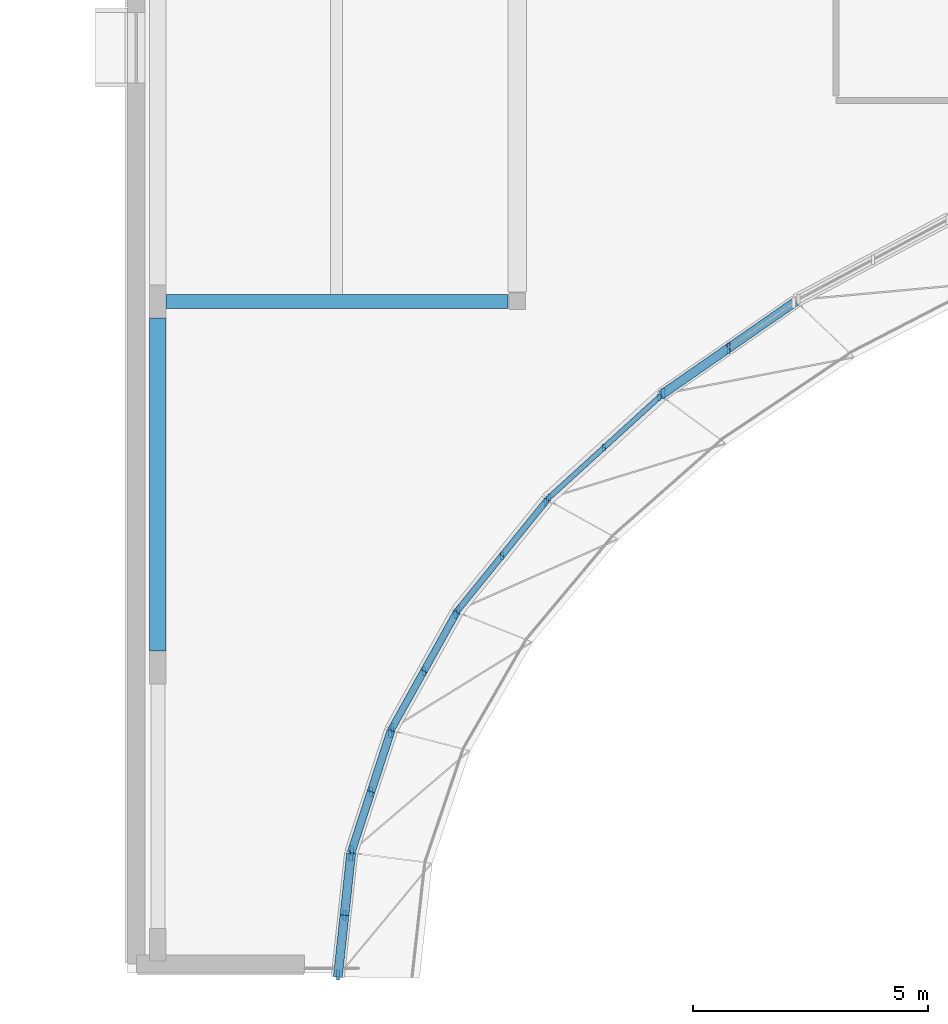
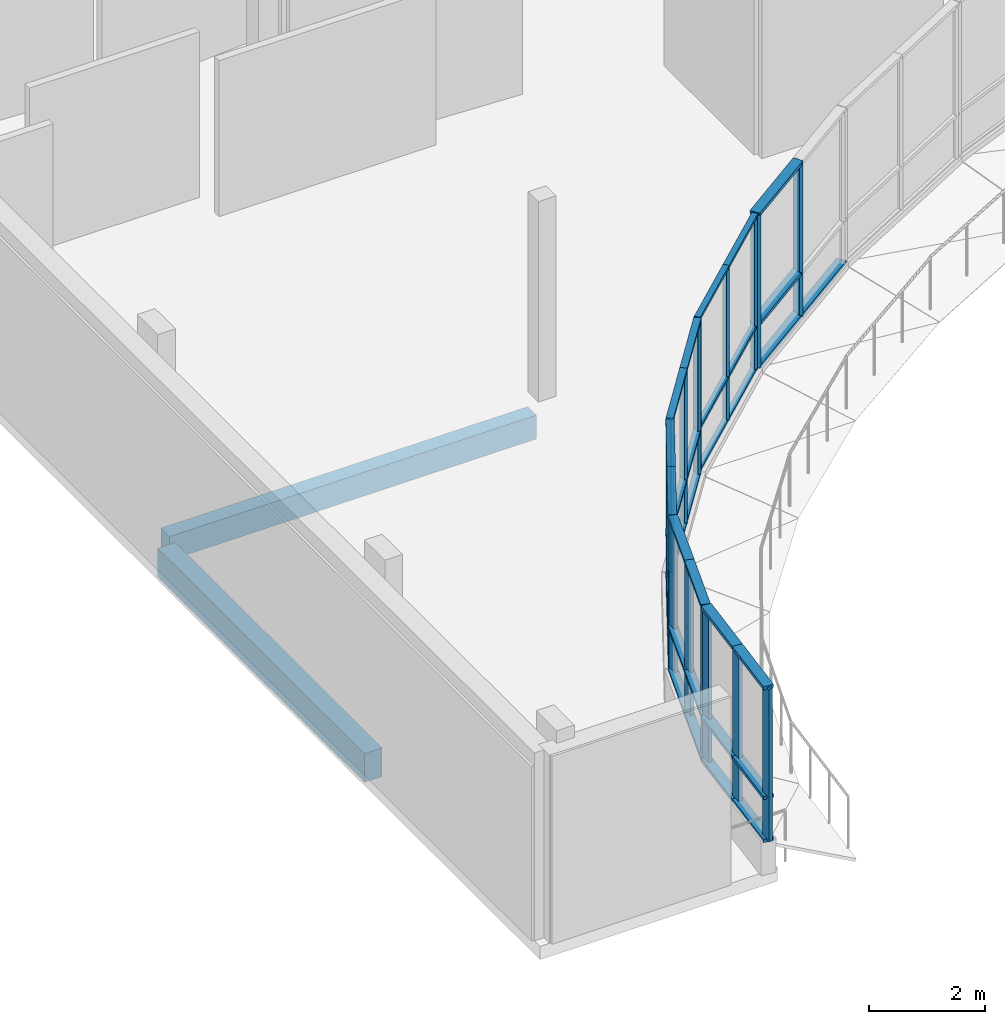
# One storey, part 2 of 18: 51 members, 2 beams, 6 elements without a shape of their own.
"""IFC4 building model written with IfcOpenShell, lengths in metres."""

from ifc_helpers import new_model, si_unit, direction, frame, origin, origin_2d, place, context, subcontext, project, spatial, rectangle, extrude, material, material_profile, profile_set, type_object, element, aggregate, save


model = new_model("IFC4")

# Units and contexts
model_context = context("Model", 3, precision=1e-05, world=origin(), true_north=direction((0.0, 1.0)))
body_context = subcontext(model_context, "Body", "Model", "MODEL_VIEW")
ifc_project = project(units=[si_unit("LENGTHUNIT", "METRE"), si_unit("AREAUNIT", "SQUARE_METRE"), si_unit("VOLUMEUNIT", "CUBIC_METRE"), si_unit("PLANEANGLEUNIT", "RADIAN"), si_unit("MASSUNIT", "GRAM", prefix="KILO")], contexts=[model_context])

# Site, building, storey
site_placement = place(None, origin())
site = spatial("IfcSite", under=ifc_project, at=site_placement, CompositionType="ELEMENT")
building_placement = place(site_placement, origin())
building = spatial("IfcBuilding", under=site, at=building_placement, Name="Mzevani Central Library", CompositionType="ELEMENT")
storey_placement = place(building_placement, frame((0.0, 0.0, 18.300048828125)))
storey = spatial("IfcBuildingStorey", under=building, at=storey_placement, Name="L04", CompositionType="ELEMENT", Elevation=18.300048828125)

# Beams
ifc_material_1 = material(Name="Concrete C35/45", Category="concrete")
ifc_material_profile_1 = material_profile(ifc_material_1, rectangle(XDim=0.300048828125, YDim=0.5, at=origin_2d()), Name="RC B300x500")
ifc_profile_set_1 = profile_set([ifc_material_profile_1], Name="Concrete C35/45")
beam_type_1 = type_object("IfcBeamType", Name="Beam RC 300x500", PredefinedType="BEAM", material=ifc_profile_set_1)
beam_1_placement = place(storey_placement, frame((46.925048828125, 90.39990234375, -0.530029296875), z_axis=(1.0, 0.0, 0.0), x_axis=(0.0, 1.0, 0.0)))
element("IfcBeam", 1, at=beam_1_placement, inside=storey, type_object=beam_type_1, Name="L04 V3 Girder B-01 (704)", PredefinedType="BEAM", context=body_context, shape_type="SweptSolid", body=[
    extrude(rectangle(XDim=0.300048828125, YDim=0.5, at=origin_2d()), origin(), (0.0, 0.0, 1.0), 7.27490234375),
])
ifc_material_profile_2 = material_profile(ifc_material_1, rectangle(XDim=0.35009765625, YDim=0.60009765625, at=origin_2d()), Name="RC B350x600")
ifc_profile_set_2 = profile_set([ifc_material_profile_2], Name="Concrete C35/45")
beam_type_2 = type_object("IfcBeamType", Name="Beam RC 350x600", PredefinedType="BEAM", material=ifc_profile_set_2)
beam_2_placement = place(storey_placement, frame((46.75, 82.949951171875, -0.580078125), z_axis=(0.0, 1.0, 0.0), x_axis=(-1.0, 0.0, 0.0)))
element("IfcBeam", 2, at=beam_2_placement, inside=storey, type_object=beam_type_2, Name="L04 V3 Frame Beam B-04 (731)", PredefinedType="BEAM", context=body_context, shape_type="SweptSolid", body=[
    extrude(rectangle(XDim=0.35009765625, YDim=0.60009765625, at=origin_2d()), origin(), (0.0, 0.0, 1.0), 7.10009765625),
])

# Curtain wall, members
ifc_material_2 = material(Name="Thermally broken aluminium and Low-E triple glazing", Category="aluminium")
curtain_wall_type_1 = type_object("IfcCurtainWallType", Name="Elliptical Court Unitised Curtain Wall", PredefinedType="NOTDEFINED", material=ifc_material_2)
curtain_wall_1_placement = place(storey_placement, origin())
curtain_wall_1 = element("IfcCurtainWall", 3, at=curtain_wall_1_placement, inside=storey, type_object=curtain_wall_type_1, Name="L04 Elliptical Court Curtain Wall 20", PredefinedType="NOTDEFINED")
ifc_material_3 = material(Name="Thermally broken aluminium AW-6060", Category="aluminium")
ifc_material_profile_3 = material_profile(ifc_material_3, rectangle(XDim=0.06005859375, YDim=0.139892578125, at=origin_2d()), Name="ALU M60x140")
ifc_profile_set_3 = profile_set([ifc_material_profile_3], Name="Thermally broken aluminium AW-6060")
member_type_1 = type_object("IfcMemberType", Name="CW Mullion 60x140", PredefinedType="MULLION", material=ifc_profile_set_3)
member_1_placement = place(storey_placement, frame((57.419921875, 88.353759765625, 0.719970703125), z_axis=(0.0, 0.0, 1.0), x_axis=(1.0, 0.0, 0.0)))
member_1 = element("IfcMember", 4, at=member_1_placement, type_object=member_type_1, Name="L04 Elliptical Court Curtain Wall 20 Mullion 1", PredefinedType="MULLION", context=body_context, shape_type="SweptSolid", body=[
    extrude(rectangle(XDim=0.06005859375, YDim=0.139892578125, at=origin_2d()), origin(), (0.0, 0.0, 1.0), 3.199951171875),
])
member_2_placement = place(storey_placement, frame((56.25048828125, 87.288330078125, 0.719970703125), z_axis=(0.0, 0.0, 1.0), x_axis=(1.0, 0.0, 0.0)))
member_2 = element("IfcMember", 5, at=member_2_placement, type_object=member_type_1, Name="L04 Elliptical Court Curtain Wall 20 Mullion 2", PredefinedType="MULLION", context=body_context, shape_type="SweptSolid", body=[
    extrude(rectangle(XDim=0.06005859375, YDim=0.139892578125, at=origin_2d()), origin(), (0.0, 0.0, 1.0), 3.199951171875),
])
member_3_placement = place(storey_placement, frame((55.0810546875, 86.222900390625, 0.719970703125), z_axis=(0.0, 0.0, 1.0), x_axis=(1.0, 0.0, 0.0)))
member_3 = element("IfcMember", 6, at=member_3_placement, type_object=member_type_1, Name="L04 Elliptical Court Curtain Wall 20 Mullion 3", PredefinedType="MULLION", context=body_context, shape_type="SweptSolid", body=[
    extrude(rectangle(XDim=0.06005859375, YDim=0.139892578125, at=origin_2d()), origin(), (0.0, 0.0, 1.0), 3.199951171875),
])

curtain_wall_2_placement = place(storey_placement, origin())
curtain_wall_2 = element("IfcCurtainWall", 7, at=curtain_wall_2_placement, inside=storey, type_object=curtain_wall_type_1, Name="L04 Elliptical Court Curtain Wall 21", PredefinedType="NOTDEFINED")
ifc_material_profile_4 = material_profile(ifc_material_3, rectangle(XDim=0.06005859375, YDim=0.159912109375, at=origin_2d()), Name="ALU M60x160")
ifc_profile_set_4 = profile_set([ifc_material_profile_4], Name="Thermally broken aluminium AW-6060")
member_type_2 = type_object("IfcMemberType", Name="CW Mullion 60x160", PredefinedType="MULLION", material=ifc_profile_set_4)
member_4_placement = place(storey_placement, frame((55.005615234375, 86.130615234375, 0.719970703125), z_axis=(0.0, 0.0, 1.0), x_axis=(1.0, 0.0, 0.0)))
member_4 = element("IfcMember", 8, at=member_4_placement, type_object=member_type_2, Name="L04 Elliptical Court Curtain Wall 21 Mullion 1", PredefinedType="MULLION", context=body_context, shape_type="SweptSolid", body=[
    extrude(rectangle(XDim=0.06005859375, YDim=0.159912109375, at=origin_2d()), origin(), (0.0, 0.0, 1.0), 3.199951171875),
])
member_5_placement = place(storey_placement, frame((54.076904296875, 84.98388671875, 0.719970703125), z_axis=(0.0, 0.0, 1.0), x_axis=(1.0, 0.0, 0.0)))
member_5 = element("IfcMember", 9, at=member_5_placement, type_object=member_type_2, Name="L04 Elliptical Court Curtain Wall 21 Mullion 2", PredefinedType="MULLION", context=body_context, shape_type="SweptSolid", body=[
    extrude(rectangle(XDim=0.06005859375, YDim=0.159912109375, at=origin_2d()), origin(), (0.0, 0.0, 1.0), 3.199951171875),
])
member_6_placement = place(storey_placement, frame((53.14794921875, 83.837158203125, 0.719970703125), z_axis=(0.0, 0.0, 1.0), x_axis=(1.0, 0.0, 0.0)))
member_6 = element("IfcMember", 10, at=member_6_placement, type_object=member_type_2, Name="L04 Elliptical Court Curtain Wall 21 Mullion 3", PredefinedType="MULLION", context=body_context, shape_type="SweptSolid", body=[
    extrude(rectangle(XDim=0.06005859375, YDim=0.159912109375, at=origin_2d()), origin(), (0.0, 0.0, 1.0), 3.199951171875),
])

curtain_wall_type_2 = type_object("IfcCurtainWallType", Name="Reading Hall Northlight Curtain Wall", PredefinedType="NOTDEFINED", material=ifc_material_2)
curtain_wall_3_placement = place(storey_placement, origin())
curtain_wall_3 = element("IfcCurtainWall", 11, at=curtain_wall_3_placement, inside=storey, type_object=curtain_wall_type_2, Name="L04 Elliptical Court Curtain Wall 22", PredefinedType="NOTDEFINED")
ifc_material_profile_5 = material_profile(ifc_material_3, rectangle(XDim=0.06005859375, YDim=0.179931640625, at=origin_2d()), Name="ALU M60x180")
ifc_profile_set_5 = profile_set([ifc_material_profile_5], Name="Thermally broken aluminium AW-6060")
member_type_3 = type_object("IfcMemberType", Name="CW Mullion 60x180", PredefinedType="MULLION", material=ifc_profile_set_5)
member_7_placement = place(storey_placement, frame((53.08740234375, 83.73583984375, 0.719970703125), z_axis=(0.0, 0.0, 1.0), x_axis=(1.0, 0.0, 0.0)))
member_7 = element("IfcMember", 12, at=member_7_placement, type_object=member_type_3, Name="L04 Elliptical Court Curtain Wall 22 Mullion 1", PredefinedType="MULLION", context=body_context, shape_type="SweptSolid", body=[
    extrude(rectangle(XDim=0.06005859375, YDim=0.179931640625, at=origin_2d()), origin(), (0.0, 0.0, 1.0), 3.199951171875),
])
member_8_placement = place(storey_placement, frame((52.413818359375, 82.527587890625, 0.719970703125), z_axis=(0.0, 0.0, 1.0), x_axis=(1.0, 0.0, 0.0)))
member_8 = element("IfcMember", 13, at=member_8_placement, type_object=member_type_3, Name="L04 Elliptical Court Curtain Wall 22 Mullion 2", PredefinedType="MULLION", context=body_context, shape_type="SweptSolid", body=[
    extrude(rectangle(XDim=0.06005859375, YDim=0.179931640625, at=origin_2d()), origin(), (0.0, 0.0, 1.0), 3.199951171875),
])
member_9_placement = place(storey_placement, frame((51.740234375, 81.319580078125, 0.719970703125), z_axis=(0.0, 0.0, 1.0), x_axis=(1.0, 0.0, 0.0)))
member_9 = element("IfcMember", 14, at=member_9_placement, type_object=member_type_3, Name="L04 Elliptical Court Curtain Wall 22 Mullion 3", PredefinedType="MULLION", context=body_context, shape_type="SweptSolid", body=[
    extrude(rectangle(XDim=0.06005859375, YDim=0.179931640625, at=origin_2d()), origin(), (0.0, 0.0, 1.0), 3.199951171875),
])

curtain_wall_4_placement = place(storey_placement, origin())
curtain_wall_4 = element("IfcCurtainWall", 15, at=curtain_wall_4_placement, inside=storey, type_object=curtain_wall_type_1, Name="L04 Elliptical Court Curtain Wall 23", PredefinedType="NOTDEFINED")
ifc_material_profile_6 = material_profile(ifc_material_3, rectangle(XDim=0.06494140625, YDim=0.199951171875, at=origin_2d()), Name="ALU M65x200")
ifc_profile_set_6 = profile_set([ifc_material_profile_6], Name="Thermally broken aluminium AW-6060")
member_type_4 = type_object("IfcMemberType", Name="CW Mullion 65x200", PredefinedType="MULLION", material=ifc_profile_set_6)
member_10_placement = place(storey_placement, frame((51.697265625, 81.210205078125, 0.719970703125), z_axis=(0.0, 0.0, 1.0), x_axis=(1.0, 0.0, 0.0)))
member_10 = element("IfcMember", 16, at=member_10_placement, type_object=member_type_4, Name="L04 Elliptical Court Curtain Wall 23 Mullion 1", PredefinedType="MULLION", context=body_context, shape_type="SweptSolid", body=[
    extrude(rectangle(XDim=0.06494140625, YDim=0.199951171875, at=origin_2d()), origin(), (0.0, 0.0, 1.0), 3.199951171875),
])
member_11_placement = place(storey_placement, frame((51.289306640625, 79.961181640625, 0.719970703125), z_axis=(0.0, 0.0, 1.0), x_axis=(1.0, 0.0, 0.0)))
member_11 = element("IfcMember", 17, at=member_11_placement, type_object=member_type_4, Name="L04 Elliptical Court Curtain Wall 23 Mullion 2", PredefinedType="MULLION", context=body_context, shape_type="SweptSolid", body=[
    extrude(rectangle(XDim=0.06494140625, YDim=0.199951171875, at=origin_2d()), origin(), (0.0, 0.0, 1.0), 3.199951171875),
])
member_12_placement = place(storey_placement, frame((50.881103515625, 78.712158203125, 0.719970703125), z_axis=(0.0, 0.0, 1.0), x_axis=(1.0, 0.0, 0.0)))
member_12 = element("IfcMember", 18, at=member_12_placement, type_object=member_type_4, Name="L04 Elliptical Court Curtain Wall 23 Mullion 3", PredefinedType="MULLION", context=body_context, shape_type="SweptSolid", body=[
    extrude(rectangle(XDim=0.06494140625, YDim=0.199951171875, at=origin_2d()), origin(), (0.0, 0.0, 1.0), 3.199951171875),
])

curtain_wall_5_placement = place(storey_placement, origin())
curtain_wall_5 = element("IfcCurtainWall", 19, at=curtain_wall_5_placement, inside=storey, type_object=curtain_wall_type_2, Name="L04 Elliptical Court Curtain Wall 19", PredefinedType="NOTDEFINED")
ifc_material_profile_7 = material_profile(ifc_material_3, rectangle(XDim=0.070068359375, YDim=0.219970703125, at=origin_2d()), Name="ALU M70x220")
ifc_profile_set_7 = profile_set([ifc_material_profile_7], Name="Thermally broken aluminium AW-6060")
member_type_5 = type_object("IfcMemberType", Name="CW Mullion 70x220", PredefinedType="MULLION", material=ifc_profile_set_7)
member_13_placement = place(storey_placement, frame((58.898193359375, 89.402099609375, 0.719970703125), z_axis=(0.0, 0.0, 1.0), x_axis=(1.0, 0.0, 0.0)))
member_13 = element("IfcMember", 20, at=member_13_placement, type_object=member_type_5, Name="L04 Elliptical Court Curtain Wall 19 Mullion 2", PredefinedType="MULLION", context=body_context, shape_type="SweptSolid", body=[
    extrude(rectangle(XDim=0.070068359375, YDim=0.219970703125, at=origin_2d()), origin(), (0.0, 0.0, 1.0), 3.199951171875),
])
member_14_placement = place(storey_placement, frame((57.507568359375, 88.4365234375, 0.719970703125), z_axis=(0.0, 0.0, 1.0), x_axis=(1.0, 0.0, 0.0)))
member_14 = element("IfcMember", 21, at=member_14_placement, type_object=member_type_5, Name="L04 Elliptical Court Curtain Wall 19 Mullion 3", PredefinedType="MULLION", context=body_context, shape_type="SweptSolid", body=[
    extrude(rectangle(XDim=0.070068359375, YDim=0.219970703125, at=origin_2d()), origin(), (0.0, 0.0, 1.0), 3.199951171875),
])

curtain_wall_6_placement = place(storey_placement, origin())
curtain_wall_6 = element("IfcCurtainWall", 22, at=curtain_wall_6_placement, inside=storey, type_object=curtain_wall_type_1, Name="L04 Elliptical Court Curtain Wall 24", PredefinedType="NOTDEFINED")
member_15_placement = place(storey_placement, frame((50.85888671875, 78.59716796875, 0.719970703125), z_axis=(0.0, 0.0, 1.0), x_axis=(1.0, 0.0, 0.0)))
member_15 = element("IfcMember", 23, at=member_15_placement, type_object=member_type_5, Name="L04 Elliptical Court Curtain Wall 24 Mullion 1", PredefinedType="MULLION", context=body_context, shape_type="SweptSolid", body=[
    extrude(rectangle(XDim=0.070068359375, YDim=0.219970703125, at=origin_2d()), origin(), (0.0, 0.0, 1.0), 3.199951171875),
])
member_16_placement = place(storey_placement, frame((50.72216796875, 77.327880859375, 0.719970703125), z_axis=(0.0, 0.0, 1.0), x_axis=(1.0, 0.0, 0.0)))
member_16 = element("IfcMember", 24, at=member_16_placement, type_object=member_type_5, Name="L04 Elliptical Court Curtain Wall 24 Mullion 2", PredefinedType="MULLION", context=body_context, shape_type="SweptSolid", body=[
    extrude(rectangle(XDim=0.070068359375, YDim=0.219970703125, at=origin_2d()), origin(), (0.0, 0.0, 1.0), 3.199951171875),
])
member_17_placement = place(storey_placement, frame((50.58544921875, 76.05859375, 0.719970703125), z_axis=(0.0, 0.0, 1.0), x_axis=(1.0, 0.0, 0.0)))
member_17 = element("IfcMember", 25, at=member_17_placement, type_object=member_type_5, Name="L04 Elliptical Court Curtain Wall 24 Mullion 3", PredefinedType="MULLION", context=body_context, shape_type="SweptSolid", body=[
    extrude(rectangle(XDim=0.070068359375, YDim=0.219970703125, at=origin_2d()), origin(), (0.0, 0.0, 1.0), 3.199951171875),
])

# Member
ifc_material_profile_8 = material_profile(ifc_material_3, rectangle(XDim=0.110107421875, YDim=0.06005859375, at=origin_2d()), Name="ALU T60x110")
ifc_profile_set_8 = profile_set([ifc_material_profile_8], Name="Thermally broken aluminium AW-6060")
member_type_6 = type_object("IfcMemberType", Name="CW Transom 60x110", PredefinedType="USERDEFINED", material=ifc_profile_set_8)
member_18_placement = place(storey_placement, frame((57.456787109375, 88.387451171875, 0.719970703125), z_axis=(-0.739181441523, -0.673506344816, 0.0), x_axis=(0.673506344816, -0.739181441523, 0.0)))
member_18 = element("IfcMember", 26, at=member_18_placement, type_object=member_type_6, Name="L04 Elliptical Court Curtain Wall 20 Transom 1", ObjectType="TRANSOM", PredefinedType="USERDEFINED", context=body_context, shape_type="SweptSolid", body=[
    extrude(rectangle(XDim=0.110107421875, YDim=0.06005859375, at=origin_2d()), origin(), (0.0, 0.0, 1.0), 1.6318359375),
])

member_19_placement = place(storey_placement, frame((57.456787109375, 88.387451171875, 1.619873046875), z_axis=(-0.739181441523, -0.673506344816, 0.0), x_axis=(0.673506344816, -0.739181441523, 0.0)))
member_19 = element("IfcMember", 27, at=member_19_placement, type_object=member_type_6, Name="L04 Elliptical Court Curtain Wall 20 Transom 2", ObjectType="TRANSOM", PredefinedType="USERDEFINED", context=body_context, shape_type="SweptSolid", body=[
    extrude(rectangle(XDim=0.110107421875, YDim=0.06005859375, at=origin_2d()), origin(), (0.0, 0.0, 1.0), 1.6318359375),
])

member_20_placement = place(storey_placement, frame((57.456787109375, 88.387451171875, 3.919921875), z_axis=(-0.739181441523, -0.673506344816, 0.0), x_axis=(0.673506344816, -0.739181441523, 0.0)))
member_20 = element("IfcMember", 28, at=member_20_placement, type_object=member_type_6, Name="L04 Elliptical Court Curtain Wall 20 Transom 3", ObjectType="TRANSOM", PredefinedType="USERDEFINED", context=body_context, shape_type="SweptSolid", body=[
    extrude(rectangle(XDim=0.110107421875, YDim=0.06005859375, at=origin_2d()), origin(), (0.0, 0.0, 1.0), 1.6318359375),
])

member_21_placement = place(storey_placement, frame((56.25048828125, 87.288330078125, 0.719970703125), z_axis=(-0.739181441523, -0.673506344816, 0.0), x_axis=(0.673506344816, -0.739181441523, 0.0)))
member_21 = element("IfcMember", 29, at=member_21_placement, type_object=member_type_6, Name="L04 Elliptical Court Curtain Wall 20 Transom 4", ObjectType="TRANSOM", PredefinedType="USERDEFINED", context=body_context, shape_type="SweptSolid", body=[
    extrude(rectangle(XDim=0.110107421875, YDim=0.06005859375, at=origin_2d()), origin(), (0.0, 0.0, 1.0), 1.6318359375),
])

member_22_placement = place(storey_placement, frame((56.25048828125, 87.288330078125, 1.619873046875), z_axis=(-0.739181441523, -0.673506344816, 0.0), x_axis=(0.673506344816, -0.739181441523, 0.0)))
member_22 = element("IfcMember", 30, at=member_22_placement, type_object=member_type_6, Name="L04 Elliptical Court Curtain Wall 20 Transom 5", ObjectType="TRANSOM", PredefinedType="USERDEFINED", context=body_context, shape_type="SweptSolid", body=[
    extrude(rectangle(XDim=0.110107421875, YDim=0.06005859375, at=origin_2d()), origin(), (0.0, 0.0, 1.0), 1.6318359375),
])

member_23_placement = place(storey_placement, frame((56.25048828125, 87.288330078125, 3.919921875), z_axis=(-0.739181441523, -0.673506344816, 0.0), x_axis=(0.673506344816, -0.739181441523, 0.0)))
member_23 = element("IfcMember", 31, at=member_23_placement, type_object=member_type_6, Name="L04 Elliptical Court Curtain Wall 20 Transom 6", ObjectType="TRANSOM", PredefinedType="USERDEFINED", context=body_context, shape_type="SweptSolid", body=[
    extrude(rectangle(XDim=0.110107421875, YDim=0.06005859375, at=origin_2d()), origin(), (0.0, 0.0, 1.0), 1.6318359375),
])

aggregate(curtain_wall_1, [member_1, member_2, member_3, member_18, member_19, member_20, member_21, member_22, member_23])

ifc_material_profile_9 = material_profile(ifc_material_3, rectangle(XDim=0.1298828125, YDim=0.06005859375, at=origin_2d()), Name="ALU T60x130")
ifc_profile_set_9 = profile_set([ifc_material_profile_9], Name="Thermally broken aluminium AW-6060")
member_type_7 = type_object("IfcMemberType", Name="CW Transom 60x130", PredefinedType="USERDEFINED", material=ifc_profile_set_9)
member_24_placement = place(storey_placement, frame((55.037109375, 86.16943359375, 0.719970703125), z_axis=(-0.629386954519, -0.777092054702, 0.0), x_axis=(0.777092054702, -0.629386954519, 0.0)))
member_24 = element("IfcMember", 32, at=member_24_placement, type_object=member_type_7, Name="L04 Elliptical Court Curtain Wall 21 Transom 1", ObjectType="TRANSOM", PredefinedType="USERDEFINED", context=body_context, shape_type="SweptSolid", body=[
    extrude(rectangle(XDim=0.1298828125, YDim=0.06005859375, at=origin_2d()), origin(), (0.0, 0.0, 1.0), 1.525634765625),
])

member_25_placement = place(storey_placement, frame((55.037109375, 86.16943359375, 1.619873046875), z_axis=(-0.629386954519, -0.777092054702, 0.0), x_axis=(0.777092054702, -0.629386954519, 0.0)))
member_25 = element("IfcMember", 33, at=member_25_placement, type_object=member_type_7, Name="L04 Elliptical Court Curtain Wall 21 Transom 2", ObjectType="TRANSOM", PredefinedType="USERDEFINED", context=body_context, shape_type="SweptSolid", body=[
    extrude(rectangle(XDim=0.1298828125, YDim=0.06005859375, at=origin_2d()), origin(), (0.0, 0.0, 1.0), 1.525634765625),
])

member_26_placement = place(storey_placement, frame((55.037109375, 86.16943359375, 3.919921875), z_axis=(-0.629386954519, -0.777092054702, 0.0), x_axis=(0.777092054702, -0.629386954519, 0.0)))
member_26 = element("IfcMember", 34, at=member_26_placement, type_object=member_type_7, Name="L04 Elliptical Court Curtain Wall 21 Transom 3", ObjectType="TRANSOM", PredefinedType="USERDEFINED", context=body_context, shape_type="SweptSolid", body=[
    extrude(rectangle(XDim=0.1298828125, YDim=0.06005859375, at=origin_2d()), origin(), (0.0, 0.0, 1.0), 1.525634765625),
])

member_27_placement = place(storey_placement, frame((54.076904296875, 84.98388671875, 0.719970703125), z_axis=(-0.629405318205, -0.777077181119, 0.0), x_axis=(0.777077181119, -0.629405318205, 0.0)))
member_27 = element("IfcMember", 35, at=member_27_placement, type_object=member_type_7, Name="L04 Elliptical Court Curtain Wall 21 Transom 4", ObjectType="TRANSOM", PredefinedType="USERDEFINED", context=body_context, shape_type="SweptSolid", body=[
    extrude(rectangle(XDim=0.1298828125, YDim=0.06005859375, at=origin_2d()), origin(), (0.0, 0.0, 1.0), 1.52587890625),
])

member_28_placement = place(storey_placement, frame((54.076904296875, 84.98388671875, 1.619873046875), z_axis=(-0.629405318205, -0.777077181119, 0.0), x_axis=(0.777077181119, -0.629405318205, 0.0)))
member_28 = element("IfcMember", 36, at=member_28_placement, type_object=member_type_7, Name="L04 Elliptical Court Curtain Wall 21 Transom 5", ObjectType="TRANSOM", PredefinedType="USERDEFINED", context=body_context, shape_type="SweptSolid", body=[
    extrude(rectangle(XDim=0.1298828125, YDim=0.06005859375, at=origin_2d()), origin(), (0.0, 0.0, 1.0), 1.52587890625),
])

member_29_placement = place(storey_placement, frame((54.076904296875, 84.98388671875, 3.919921875), z_axis=(-0.629405318205, -0.777077181119, 0.0), x_axis=(0.777077181119, -0.629405318205, 0.0)))
member_29 = element("IfcMember", 37, at=member_29_placement, type_object=member_type_7, Name="L04 Elliptical Court Curtain Wall 21 Transom 6", ObjectType="TRANSOM", PredefinedType="USERDEFINED", context=body_context, shape_type="SweptSolid", body=[
    extrude(rectangle(XDim=0.1298828125, YDim=0.06005859375, at=origin_2d()), origin(), (0.0, 0.0, 1.0), 1.52587890625),
])

aggregate(curtain_wall_2, [member_4, member_5, member_6, member_24, member_25, member_26, member_27, member_28, member_29])

ifc_material_profile_10 = material_profile(ifc_material_3, rectangle(XDim=0.14990234375, YDim=0.06005859375, at=origin_2d()), Name="ALU T60x150")
ifc_profile_set_10 = profile_set([ifc_material_profile_10], Name="Thermally broken aluminium AW-6060")
member_type_8 = type_object("IfcMemberType", Name="CW Transom 60x150", PredefinedType="USERDEFINED", material=ifc_profile_set_10)
member_30_placement = place(storey_placement, frame((53.11181640625, 83.779296875, 0.719970703125), z_axis=(-0.487030832261, -0.873384776846, 0.0), x_axis=(0.873384776846, -0.487030832261, 0.0)))
member_30 = element("IfcMember", 38, at=member_30_placement, type_object=member_type_8, Name="L04 Elliptical Court Curtain Wall 22 Transom 1", ObjectType="TRANSOM", PredefinedType="USERDEFINED", context=body_context, shape_type="SweptSolid", body=[
    extrude(rectangle(XDim=0.14990234375, YDim=0.06005859375, at=origin_2d()), origin(), (0.0, 0.0, 1.0), 1.43310546875),
])

member_31_placement = place(storey_placement, frame((53.11181640625, 83.779296875, 1.619873046875), z_axis=(-0.487030832261, -0.873384776846, 0.0), x_axis=(0.873384776846, -0.487030832261, 0.0)))
member_31 = element("IfcMember", 39, at=member_31_placement, type_object=member_type_8, Name="L04 Elliptical Court Curtain Wall 22 Transom 2", ObjectType="TRANSOM", PredefinedType="USERDEFINED", context=body_context, shape_type="SweptSolid", body=[
    extrude(rectangle(XDim=0.14990234375, YDim=0.06005859375, at=origin_2d()), origin(), (0.0, 0.0, 1.0), 1.43310546875),
])

member_32_placement = place(storey_placement, frame((53.11181640625, 83.779296875, 3.919921875), z_axis=(-0.487030832261, -0.873384776846, 0.0), x_axis=(0.873384776846, -0.487030832261, 0.0)))
member_32 = element("IfcMember", 40, at=member_32_placement, type_object=member_type_8, Name="L04 Elliptical Court Curtain Wall 22 Transom 3", ObjectType="TRANSOM", PredefinedType="USERDEFINED", context=body_context, shape_type="SweptSolid", body=[
    extrude(rectangle(XDim=0.14990234375, YDim=0.06005859375, at=origin_2d()), origin(), (0.0, 0.0, 1.0), 1.43310546875),
])

member_33_placement = place(storey_placement, frame((52.413818359375, 82.527587890625, 0.719970703125), z_axis=(-0.487030832261, -0.873384776846, 0.0), x_axis=(0.873384776846, -0.487030832261, 0.0)))
member_33 = element("IfcMember", 41, at=member_33_placement, type_object=member_type_8, Name="L04 Elliptical Court Curtain Wall 22 Transom 4", ObjectType="TRANSOM", PredefinedType="USERDEFINED", context=body_context, shape_type="SweptSolid", body=[
    extrude(rectangle(XDim=0.14990234375, YDim=0.06005859375, at=origin_2d()), origin(), (0.0, 0.0, 1.0), 1.43310546875),
])

member_34_placement = place(storey_placement, frame((52.413818359375, 82.527587890625, 1.619873046875), z_axis=(-0.487030832261, -0.873384776846, 0.0), x_axis=(0.873384776846, -0.487030832261, 0.0)))
member_34 = element("IfcMember", 42, at=member_34_placement, type_object=member_type_8, Name="L04 Elliptical Court Curtain Wall 22 Transom 5", ObjectType="TRANSOM", PredefinedType="USERDEFINED", context=body_context, shape_type="SweptSolid", body=[
    extrude(rectangle(XDim=0.14990234375, YDim=0.06005859375, at=origin_2d()), origin(), (0.0, 0.0, 1.0), 1.43310546875),
])

member_35_placement = place(storey_placement, frame((52.413818359375, 82.527587890625, 3.919921875), z_axis=(-0.487030832261, -0.873384776846, 0.0), x_axis=(0.873384776846, -0.487030832261, 0.0)))
member_35 = element("IfcMember", 43, at=member_35_placement, type_object=member_type_8, Name="L04 Elliptical Court Curtain Wall 22 Transom 6", ObjectType="TRANSOM", PredefinedType="USERDEFINED", context=body_context, shape_type="SweptSolid", body=[
    extrude(rectangle(XDim=0.14990234375, YDim=0.06005859375, at=origin_2d()), origin(), (0.0, 0.0, 1.0), 1.43310546875),
])

aggregate(curtain_wall_3, [member_7, member_8, member_9, member_30, member_31, member_32, member_33, member_34, member_35])

ifc_material_profile_11 = material_profile(ifc_material_3, rectangle(XDim=0.169921875, YDim=0.06494140625, at=origin_2d()), Name="ALU T65x170")
ifc_profile_set_11 = profile_set([ifc_material_profile_11], Name="Thermally broken aluminium AW-6060")
member_type_9 = type_object("IfcMemberType", Name="CW Transom 65x170", PredefinedType="USERDEFINED", material=ifc_profile_set_11)
member_36_placement = place(storey_placement, frame((51.712890625, 81.2578125, 0.719970703125), z_axis=(-0.310530507133, -0.950563414055, 0.0), x_axis=(0.950563414055, -0.310530507133, 0.0)))
member_36 = element("IfcMember", 44, at=member_36_placement, type_object=member_type_9, Name="L04 Elliptical Court Curtain Wall 23 Transom 1", ObjectType="TRANSOM", PredefinedType="USERDEFINED", context=body_context, shape_type="SweptSolid", body=[
    extrude(rectangle(XDim=0.169921875, YDim=0.06494140625, at=origin_2d()), origin(), (0.0, 0.0, 1.0), 1.364013671875),
])

member_37_placement = place(storey_placement, frame((51.712890625, 81.2578125, 1.619873046875), z_axis=(-0.310530507133, -0.950563414055, 0.0), x_axis=(0.950563414055, -0.310530507133, 0.0)))
member_37 = element("IfcMember", 45, at=member_37_placement, type_object=member_type_9, Name="L04 Elliptical Court Curtain Wall 23 Transom 2", ObjectType="TRANSOM", PredefinedType="USERDEFINED", context=body_context, shape_type="SweptSolid", body=[
    extrude(rectangle(XDim=0.169921875, YDim=0.06494140625, at=origin_2d()), origin(), (0.0, 0.0, 1.0), 1.364013671875),
])

member_38_placement = place(storey_placement, frame((51.712890625, 81.2578125, 3.919921875), z_axis=(-0.310530507133, -0.950563414055, 0.0), x_axis=(0.950563414055, -0.310530507133, 0.0)))
member_38 = element("IfcMember", 46, at=member_38_placement, type_object=member_type_9, Name="L04 Elliptical Court Curtain Wall 23 Transom 3", ObjectType="TRANSOM", PredefinedType="USERDEFINED", context=body_context, shape_type="SweptSolid", body=[
    extrude(rectangle(XDim=0.169921875, YDim=0.06494140625, at=origin_2d()), origin(), (0.0, 0.0, 1.0), 1.364013671875),
])

member_39_placement = place(storey_placement, frame((51.289306640625, 79.961181640625, 0.719970703125), z_axis=(-0.310745076169, -0.950493291737, 0.0), x_axis=(0.950493291737, -0.310745076169, 0.0)))
member_39 = element("IfcMember", 47, at=member_39_placement, type_object=member_type_9, Name="L04 Elliptical Court Curtain Wall 23 Transom 4", ObjectType="TRANSOM", PredefinedType="USERDEFINED", context=body_context, shape_type="SweptSolid", body=[
    extrude(rectangle(XDim=0.169921875, YDim=0.06494140625, at=origin_2d()), origin(), (0.0, 0.0, 1.0), 1.364013671875),
])

member_40_placement = place(storey_placement, frame((51.289306640625, 79.961181640625, 1.619873046875), z_axis=(-0.310745076169, -0.950493291737, 0.0), x_axis=(0.950493291737, -0.310745076169, 0.0)))
member_40 = element("IfcMember", 48, at=member_40_placement, type_object=member_type_9, Name="L04 Elliptical Court Curtain Wall 23 Transom 5", ObjectType="TRANSOM", PredefinedType="USERDEFINED", context=body_context, shape_type="SweptSolid", body=[
    extrude(rectangle(XDim=0.169921875, YDim=0.06494140625, at=origin_2d()), origin(), (0.0, 0.0, 1.0), 1.364013671875),
])

member_41_placement = place(storey_placement, frame((51.289306640625, 79.961181640625, 3.919921875), z_axis=(-0.310745076169, -0.950493291737, 0.0), x_axis=(0.950493291737, -0.310745076169, 0.0)))
member_41 = element("IfcMember", 49, at=member_41_placement, type_object=member_type_9, Name="L04 Elliptical Court Curtain Wall 23 Transom 6", ObjectType="TRANSOM", PredefinedType="USERDEFINED", context=body_context, shape_type="SweptSolid", body=[
    extrude(rectangle(XDim=0.169921875, YDim=0.06494140625, at=origin_2d()), origin(), (0.0, 0.0, 1.0), 1.364013671875),
])

aggregate(curtain_wall_4, [member_10, member_11, member_12, member_36, member_37, member_38, member_39, member_40, member_41])

ifc_material_profile_12 = material_profile(ifc_material_3, rectangle(XDim=0.18994140625, YDim=0.070068359375, at=origin_2d()), Name="ALU T70x190")
ifc_profile_set_12 = profile_set([ifc_material_profile_12], Name="Thermally broken aluminium AW-6060")
member_type_10 = type_object("IfcMemberType", Name="CW Transom 70x190", PredefinedType="USERDEFINED", material=ifc_profile_set_12)
member_42_placement = place(storey_placement, frame((60.330078125, 90.39599609375, 0.719970703125), z_axis=(-0.821495722065, -0.570214677669, 0.0), x_axis=(0.570214677669, -0.821495722065, 0.0)))
member_42 = element("IfcMember", 50, at=member_42_placement, type_object=member_type_10, Name="L04 Elliptical Court Curtain Wall 19 Transom 1", ObjectType="TRANSOM", PredefinedType="USERDEFINED", context=body_context, shape_type="SweptSolid", body=[
    extrude(rectangle(XDim=0.18994140625, YDim=0.070068359375, at=origin_2d()), origin(), (0.0, 0.0, 1.0), 1.742919921875),
])

member_43_placement = place(storey_placement, frame((58.898193359375, 89.402099609375, 0.719970703125), z_axis=(-0.821450171996, -0.570280295054, 0.0), x_axis=(0.570280295054, -0.821450171996, 0.0)))
member_43 = element("IfcMember", 51, at=member_43_placement, type_object=member_type_10, Name="L04 Elliptical Court Curtain Wall 19 Transom 4", ObjectType="TRANSOM", PredefinedType="USERDEFINED", context=body_context, shape_type="SweptSolid", body=[
    extrude(rectangle(XDim=0.18994140625, YDim=0.070068359375, at=origin_2d()), origin(), (0.0, 0.0, 1.0), 1.742919921875),
])

member_44_placement = place(storey_placement, frame((58.898193359375, 89.402099609375, 1.619873046875), z_axis=(-0.821450171996, -0.570280295054, 0.0), x_axis=(0.570280295054, -0.821450171996, 0.0)))
member_44 = element("IfcMember", 52, at=member_44_placement, type_object=member_type_10, Name="L04 Elliptical Court Curtain Wall 19 Transom 5", ObjectType="TRANSOM", PredefinedType="USERDEFINED", context=body_context, shape_type="SweptSolid", body=[
    extrude(rectangle(XDim=0.18994140625, YDim=0.070068359375, at=origin_2d()), origin(), (0.0, 0.0, 1.0), 1.742919921875),
])

member_45_placement = place(storey_placement, frame((58.898193359375, 89.402099609375, 3.919921875), z_axis=(-0.821450171996, -0.570280295054, 0.0), x_axis=(0.570280295054, -0.821450171996, 0.0)))
member_45 = element("IfcMember", 53, at=member_45_placement, type_object=member_type_10, Name="L04 Elliptical Court Curtain Wall 19 Transom 6", ObjectType="TRANSOM", PredefinedType="USERDEFINED", context=body_context, shape_type="SweptSolid", body=[
    extrude(rectangle(XDim=0.18994140625, YDim=0.070068359375, at=origin_2d()), origin(), (0.0, 0.0, 1.0), 1.742919921875),
])

aggregate(curtain_wall_5, [member_13, member_14, member_42, member_43, member_44, member_45])

member_46_placement = place(storey_placement, frame((50.8642578125, 78.64697265625, 0.719970703125), z_axis=(-0.107098386967, -0.994248427461, 0.0), x_axis=(0.994248427461, -0.107098386967, 0.0)))
member_46 = element("IfcMember", 54, at=member_46_placement, type_object=member_type_10, Name="L04 Elliptical Court Curtain Wall 24 Transom 1", ObjectType="TRANSOM", PredefinedType="USERDEFINED", context=body_context, shape_type="SweptSolid", body=[
    extrude(rectangle(XDim=0.18994140625, YDim=0.070068359375, at=origin_2d()), origin(), (0.0, 0.0, 1.0), 1.32666015625),
])

member_47_placement = place(storey_placement, frame((50.8642578125, 78.64697265625, 1.619873046875), z_axis=(-0.107098386967, -0.994248427461, 0.0), x_axis=(0.994248427461, -0.107098386967, 0.0)))
member_47 = element("IfcMember", 55, at=member_47_placement, type_object=member_type_10, Name="L04 Elliptical Court Curtain Wall 24 Transom 2", ObjectType="TRANSOM", PredefinedType="USERDEFINED", context=body_context, shape_type="SweptSolid", body=[
    extrude(rectangle(XDim=0.18994140625, YDim=0.070068359375, at=origin_2d()), origin(), (0.0, 0.0, 1.0), 1.32666015625),
])

member_48_placement = place(storey_placement, frame((50.8642578125, 78.64697265625, 3.919921875), z_axis=(-0.107098386967, -0.994248427461, 0.0), x_axis=(0.994248427461, -0.107098386967, 0.0)))
member_48 = element("IfcMember", 56, at=member_48_placement, type_object=member_type_10, Name="L04 Elliptical Court Curtain Wall 24 Transom 3", ObjectType="TRANSOM", PredefinedType="USERDEFINED", context=body_context, shape_type="SweptSolid", body=[
    extrude(rectangle(XDim=0.18994140625, YDim=0.070068359375, at=origin_2d()), origin(), (0.0, 0.0, 1.0), 1.32666015625),
])

member_49_placement = place(storey_placement, frame((50.72216796875, 77.327880859375, 0.719970703125), z_axis=(-0.107098386967, -0.994248427461, 0.0), x_axis=(0.994248427461, -0.107098386967, 0.0)))
member_49 = element("IfcMember", 57, at=member_49_placement, type_object=member_type_10, Name="L04 Elliptical Court Curtain Wall 24 Transom 4", ObjectType="TRANSOM", PredefinedType="USERDEFINED", context=body_context, shape_type="SweptSolid", body=[
    extrude(rectangle(XDim=0.18994140625, YDim=0.070068359375, at=origin_2d()), origin(), (0.0, 0.0, 1.0), 1.32666015625),
])

member_50_placement = place(storey_placement, frame((50.72216796875, 77.327880859375, 1.619873046875), z_axis=(-0.107098386967, -0.994248427461, 0.0), x_axis=(0.994248427461, -0.107098386967, 0.0)))
member_50 = element("IfcMember", 58, at=member_50_placement, type_object=member_type_10, Name="L04 Elliptical Court Curtain Wall 24 Transom 5", ObjectType="TRANSOM", PredefinedType="USERDEFINED", context=body_context, shape_type="SweptSolid", body=[
    extrude(rectangle(XDim=0.18994140625, YDim=0.070068359375, at=origin_2d()), origin(), (0.0, 0.0, 1.0), 1.32666015625),
])

member_51_placement = place(storey_placement, frame((50.72216796875, 77.327880859375, 3.919921875), z_axis=(-0.107098386967, -0.994248427461, 0.0), x_axis=(0.994248427461, -0.107098386967, 0.0)))
member_51 = element("IfcMember", 59, at=member_51_placement, type_object=member_type_10, Name="L04 Elliptical Court Curtain Wall 24 Transom 6", ObjectType="TRANSOM", PredefinedType="USERDEFINED", context=body_context, shape_type="SweptSolid", body=[
    extrude(rectangle(XDim=0.18994140625, YDim=0.070068359375, at=origin_2d()), origin(), (0.0, 0.0, 1.0), 1.32666015625),
])

aggregate(curtain_wall_6, [member_15, member_16, member_17, member_46, member_47, member_48, member_49, member_50, member_51])

save(model, "model.ifc")
